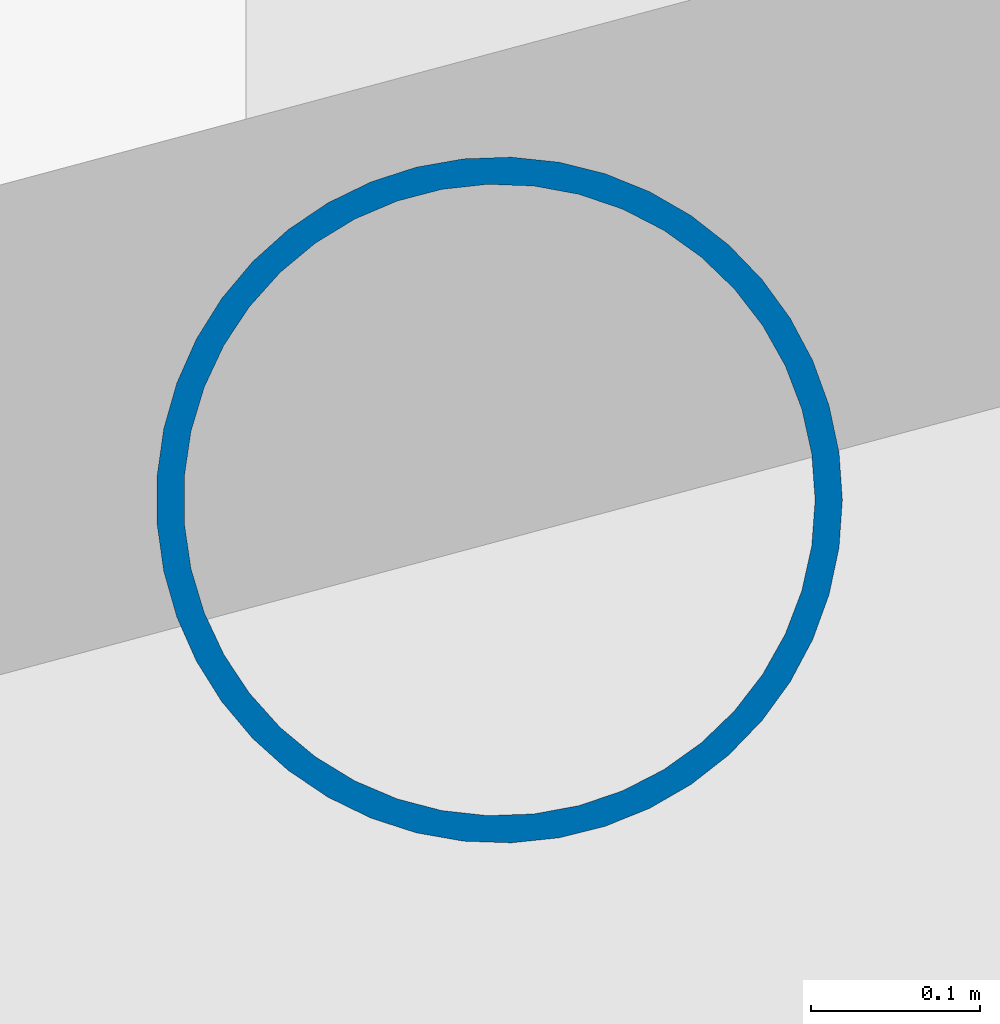
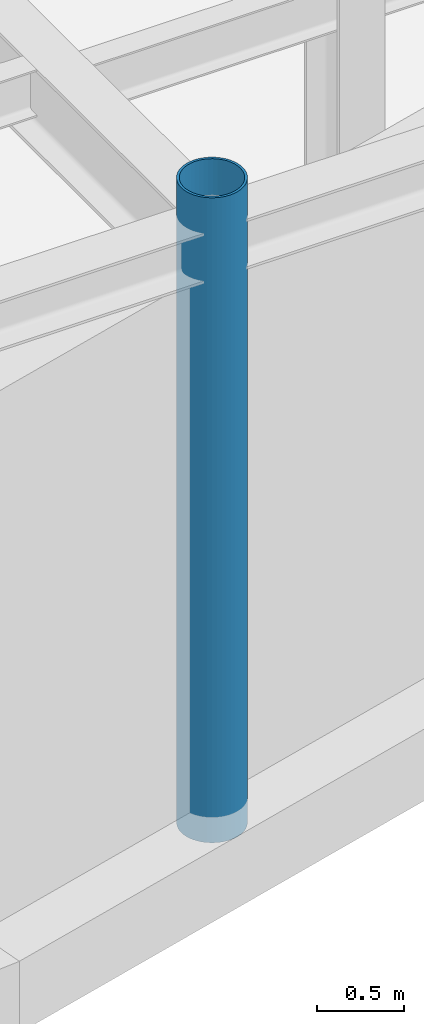
# One storey, part 6 of 91: 1 column.
"""IFC4 building model written with IfcOpenShell, lengths in metres."""

import ifcopenshell
import ifcopenshell.guid

model = None  # the IFC model being written
_history = None  # IfcOwnerHistory: only IFC2X3 demands one
_inside = {}  # id of a spatial element -> (the spatial element, [elements in it])
_under = {}  # id of a project, library or spatial element -> (it, [spatial elements below it])
_declared = {}  # id of a project -> (the project, [libraries it declares])
_typed = {}  # id of a type object -> (the type object, [elements of that type])
_made_of = {}  # id of a material, layer set ... -> (it, [elements and type objects made of it])


def new_model(schema):
    """Start an empty IFC model of exactly this schema.

    Asked for "IFC4X3", IfcOpenShell would pick the latest addendum, in which some entities
    have other attributes; the version numbers below select the first issue.
    IFC2X3 requires an IfcOwnerHistory on every rooted entity: one is made here for all.
    """
    global model, _history
    if schema == "IFC4X3":
        model = ifcopenshell.file(schema_version=(4, 3, 0, 0))
    else:
        model = ifcopenshell.file(schema=schema)
    _inside.clear()
    _under.clear()
    _declared.clear()
    _typed.clear()
    _made_of.clear()
    _history = None
    if model.schema == "IFC2X3":
        org = make("IfcOrganization", Name="unknown")
        user = make(
            "IfcPersonAndOrganization",
            ThePerson=make("IfcPerson", FamilyName="unknown"),
            TheOrganization=org,
        )
        app = make(
            "IfcApplication",
            ApplicationDeveloper=org,
            Version="unknown",
            ApplicationFullName="unknown",
            ApplicationIdentifier="unknown",
        )
        _history = make(
            "IfcOwnerHistory",
            OwningUser=user,
            OwningApplication=app,
            ChangeAction="ADDED",
            CreationDate=0,
        )
    return model


def make(cls, **values):
    """One entity of the class cls with the attributes given. An attribute that is None is left unset."""
    return model.create_entity(
        cls, **{name: value for name, value in values.items() if value is not None}
    )


def rooted(cls, **values):
    """An entity with a GlobalId (a new one), such as an element, a storey or a relation."""
    return make(cls, GlobalId=ifcopenshell.guid.new(), OwnerHistory=_history, **values)


def si_unit(unit_type, name, prefix=None):
    """IfcSIUnit, for example si_unit("LENGTHUNIT", "METRE", prefix="MILLI")."""
    return make("IfcSIUnit", UnitType=unit_type, Prefix=prefix, Name=name)


def assignment(units):
    """IfcUnitAssignment: the units of a project."""
    return None if units is None else make("IfcUnitAssignment", Units=units)


def point(xyz):
    """IfcCartesianPoint."""
    return None if xyz is None else make("IfcCartesianPoint", Coordinates=xyz)


def direction(xyz):
    """IfcDirection."""
    return None if xyz is None else make("IfcDirection", DirectionRatios=xyz)


def frame(location, z_axis=None, x_axis=None):
    """IfcAxis2Placement3D, a coordinate frame: its origin and axes. An axis left out is left unset."""
    return make(
        "IfcAxis2Placement3D",
        Location=point(location),
        Axis=direction(z_axis),
        RefDirection=direction(x_axis),
    )


def frame_2d(location, x_axis=None):
    """IfcAxis2Placement2D, a coordinate frame in the plane: its origin and x axis."""
    return make(
        "IfcAxis2Placement2D", Location=point(location), RefDirection=direction(x_axis)
    )


def origin():
    """The frame at (0, 0, 0) with its axes left unset."""
    return frame((0.0, 0.0, 0.0))


def origin_2d():
    """The frame at (0, 0) in the plane with its x axis left unset."""
    return frame_2d((0.0, 0.0))


def place(relative_to, where):
    """IfcLocalPlacement: puts the frame where relative to a parent placement (None: the world)."""
    return make(
        "IfcLocalPlacement", PlacementRelTo=relative_to, RelativePlacement=where
    )


def context(
    kind, dimensions, precision=None, world=None, true_north=None, identifier=None
):
    """IfcGeometricRepresentationContext, for example the 3D "Model" context."""
    return make(
        "IfcGeometricRepresentationContext",
        ContextIdentifier=identifier,
        ContextType=kind,
        CoordinateSpaceDimension=dimensions,
        Precision=precision,
        WorldCoordinateSystem=world,
        TrueNorth=true_north,
    )


def subcontext(parent, identifier, kind, view, scale=None):
    """IfcGeometricRepresentationSubContext, for example "Body" below "Model"."""
    return make(
        "IfcGeometricRepresentationSubContext",
        ContextIdentifier=identifier,
        ContextType=kind,
        ParentContext=parent,
        TargetScale=scale,
        TargetView=view,
    )


def project(units=None, contexts=None):
    """IfcProject with its units and contexts."""
    return rooted(
        "IfcProject",
        Name="project",
        RepresentationContexts=contexts,
        UnitsInContext=assignment(units),
    )


def spatial(cls, under=None, at=None, **own):
    """A site, building, storey or space (cls), placed at a placement, below another one or the project."""
    s = rooted(cls, ObjectPlacement=at, **own)
    if under is not None:
        _under.setdefault(under.id(), (under, []))[1].append(s)
    return s


def profile(cls, at=None, kind="AREA", **sizes):
    """A parametric profile (cls). Its sizes go by their IFC names, for example OverallWidth=200.0."""
    return make(cls, ProfileType=kind, Position=at, **sizes)


def hollow_circle(**sizes):
    """IfcCircleHollowProfileDef."""
    return profile("IfcCircleHollowProfileDef", **sizes)


def extrude(swept, where, along, depth):
    """IfcExtrudedAreaSolid: the profile swept, set in the frame where, extruded along a direction by depth."""
    return make(
        "IfcExtrudedAreaSolid",
        SweptArea=swept,
        Position=where,
        ExtrudedDirection=direction(along),
        Depth=depth,
    )


def shape(context_of_items, identifier, shape_type, items):
    """IfcShapeRepresentation: the items that make up one representation, for example the "Body"."""
    return make(
        "IfcShapeRepresentation",
        ContextOfItems=context_of_items,
        RepresentationIdentifier=identifier,
        RepresentationType=shape_type,
        Items=items,
    )


def material(Name=None, Category=None):
    """IfcMaterial."""
    return make("IfcMaterial", Name=Name, Category=Category)


def material_profile(
    of_material, cross_section, Name=None, Category=None, Priority=None
):
    """IfcMaterialProfile: a cross section and its material."""
    return make(
        "IfcMaterialProfile",
        Name=Name,
        Material=of_material,
        Profile=cross_section,
        Priority=Priority,
        Category=Category,
    )


def profile_set(profiles, Name=None, composite=None):
    """IfcMaterialProfileSet."""
    return make(
        "IfcMaterialProfileSet",
        Name=Name,
        MaterialProfiles=profiles,
        CompositeProfile=composite,
    )


def made_of(thing, what):
    """Note that an element or type object is made of a material, layer set ...; save() writes the relation."""
    if what is not None:
        _made_of.setdefault(what.id(), (what, []))[1].append(thing)
    return thing


def type_object(cls, material=None, **own):
    """A type object (cls), such as IfcWallType, which elements share."""
    return made_of(rooted(cls, **own), material)


def element(
    cls,
    number,
    at=None,
    inside=None,
    cuts=None,
    type_object=None,
    material=None,
    context=None,
    identifier="Body",
    shape_type=None,
    held_by="IfcProductDefinitionShape",
    body=None,
    shapes=None,
    **own,
):
    """One element of the class cls, such as IfcWall. Its Tag is "e" and its number.

    at: its placement. inside: the storey or other place that contains it. cuts: it is an
    opening in that element (IfcRelVoidsElement). A single representation is given by context,
    identifier, shape_type and body (its items); several are given by shapes. held_by: the class
    of the entity that holds the representations. save() writes the other relations.
    """
    e = rooted(cls, Tag="e%d" % number, ObjectPlacement=at, **own)
    if body is not None:
        shapes = [shape(context, identifier, shape_type, body)]
    if shapes is not None:
        e.Representation = make(held_by, Representations=shapes)
    if inside is not None:
        _inside.setdefault(inside.id(), (inside, []))[1].append(e)
    if cuts is not None:
        rooted(
            "IfcRelVoidsElement", RelatingBuildingElement=cuts, RelatedOpeningElement=e
        )
    if type_object is not None:
        _typed.setdefault(type_object.id(), (type_object, []))[1].append(e)
    return made_of(e, material)


def aggregate(whole, parts):
    """IfcRelAggregates: a whole, such as a stair, and the parts it consists of."""
    return rooted("IfcRelAggregates", RelatingObject=whole, RelatedObjects=parts)


def save(model, path):
    """Write the relations noted so far, then the file.

    IfcRelAggregates (storeys below a building ...), IfcRelContainedInSpatialStructure (elements
    in a storey), IfcRelDefinesByType, IfcRelAssociatesMaterial and IfcRelDeclares: one each for
    every whole, place, type object, material and project.
    """
    for whole, parts in _under.values():
        aggregate(whole, parts)
    for where, things in _inside.values():
        rooted(
            "IfcRelContainedInSpatialStructure",
            RelatedElements=things,
            RelatingStructure=where,
        )
    for kind, things in _typed.values():
        rooted("IfcRelDefinesByType", RelatedObjects=things, RelatingType=kind)
    for what, things in _made_of.values():
        rooted("IfcRelAssociatesMaterial", RelatedObjects=things, RelatingMaterial=what)
    for by, libraries in _declared.values():
        rooted("IfcRelDeclares", RelatingContext=by, RelatedDefinitions=libraries)
    model.write(path)


model = new_model("IFC4")

# Units and contexts
model_context = context("Model", 3, precision=1e-05, world=origin(), true_north=direction((0.0, 1.0)))
body_context = subcontext(model_context, "Body", "Model", "MODEL_VIEW")
ifc_project = project(units=[si_unit("LENGTHUNIT", "METRE"), si_unit("AREAUNIT", "SQUARE_METRE"), si_unit("VOLUMEUNIT", "CUBIC_METRE"), si_unit("PLANEANGLEUNIT", "RADIAN"), si_unit("MASSUNIT", "GRAM", prefix="KILO")], contexts=[model_context])

# Site, building, storey
site_placement = place(None, origin())
site = spatial("IfcSite", under=ifc_project, at=site_placement, CompositionType="ELEMENT")
building_placement = place(site_placement, origin())
building = spatial("IfcBuilding", under=site, at=building_placement, Name="Kolvaren Corner Interchange", CompositionType="ELEMENT")
storey_placement = place(building_placement, frame((0.0, 0.0, 6.0)))
storey = spatial("IfcBuildingStorey", under=building, at=storey_placement, Name="L02", CompositionType="ELEMENT", Elevation=6.0)

# Column
ifc_material = material(Name="Steel S355", Category="steel")
ifc_material_profile = material_profile(ifc_material, hollow_circle(Radius=0.203125, WallThickness=0.01611328125, at=origin_2d()), Name="CHS 406.4x16.0")
ifc_profile_set = profile_set([ifc_material_profile], Name="Steel S355")
column_type = type_object("IfcColumnType", Name="COL-CHS406", PredefinedType="COLUMN", material=ifc_profile_set)
column_placement = place(storey_placement, frame((126.0, 24.89990234375, 0.0), z_axis=(0.0, 0.0, 1.0), x_axis=(1.0, 0.0, 0.0)))
element("IfcColumn", 1, at=column_placement, inside=storey, type_object=column_type, Name="Storey L02 Structural Column 0732", PredefinedType="COLUMN", context=body_context, shape_type="SweptSolid", body=[
    extrude(hollow_circle(Radius=0.203125, WallThickness=0.01611328125, at=origin_2d()), origin(), (0.0, 0.0, 1.0), 4.5),
])

save(model, "model.ifc")
